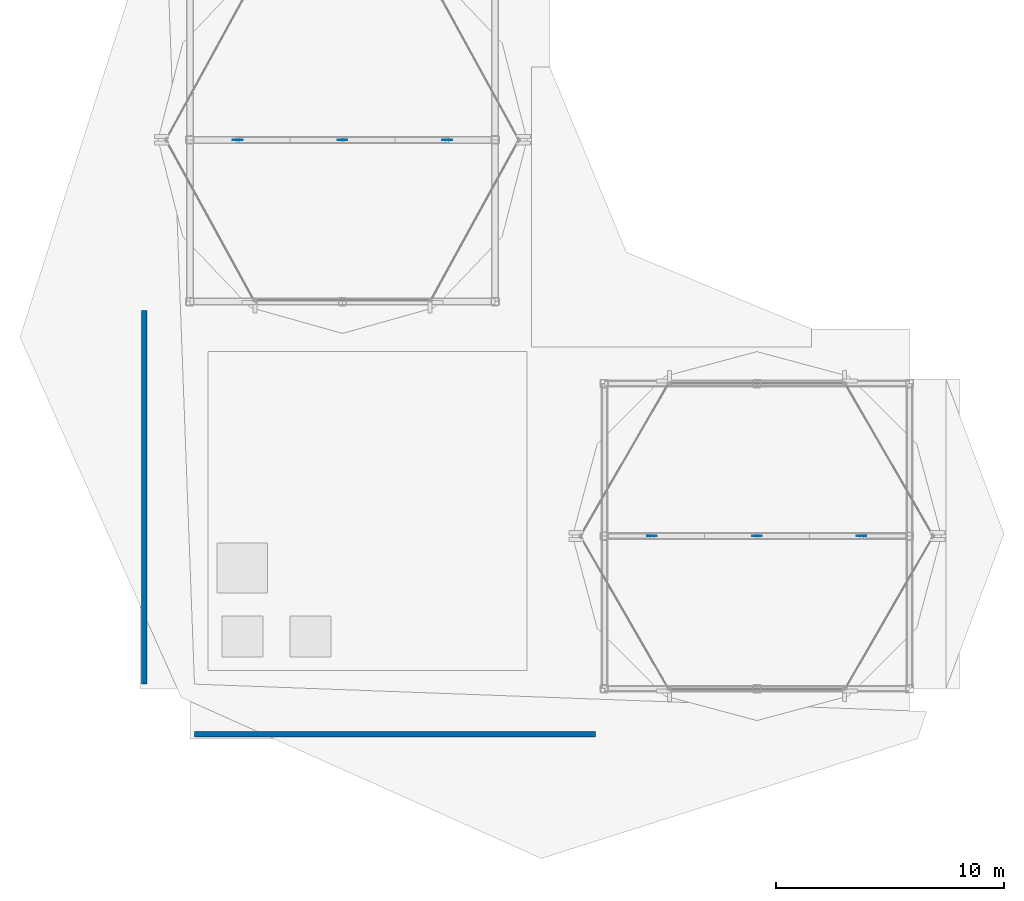
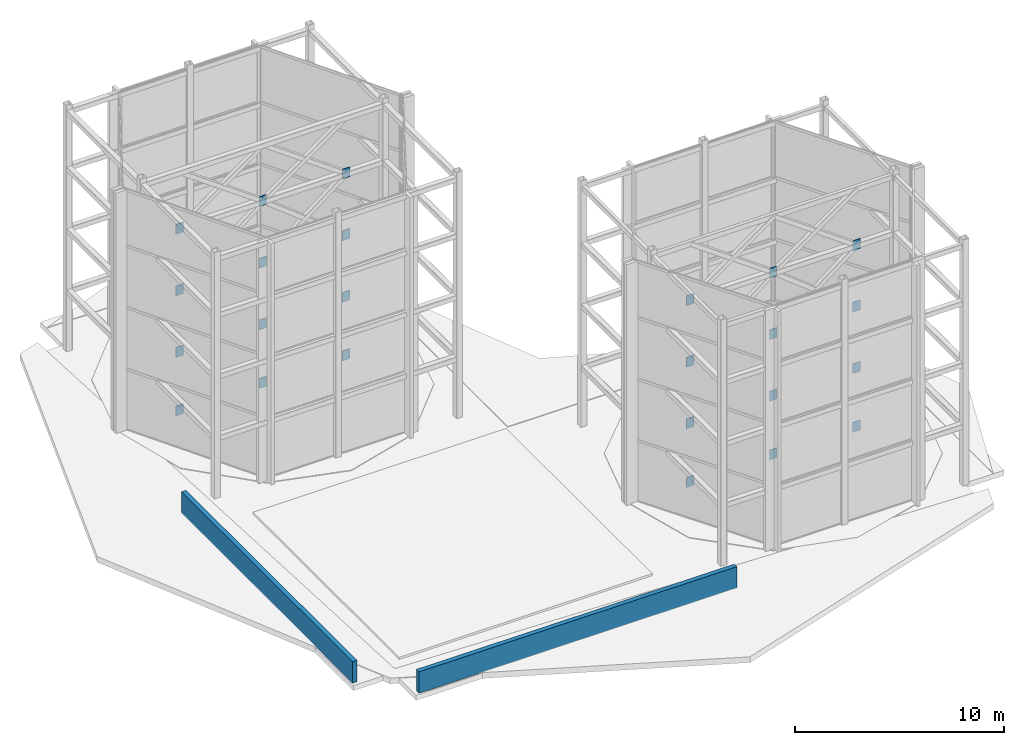
# One storey, part 23 of 24: 24 plates, 2 walls.
"""IFC4 building model written with IfcOpenShell, lengths in metres."""

from ifc_helpers import new_model, si_unit, direction, frame, frame_2d, origin, origin_2d, place, context, subcontext, project, spatial, rectangle, extrude, material, layer, layer_set, type_object, element, save


model = new_model("IFC4")

# Units and contexts
model_context = context("Model", 3, precision=1e-05, world=origin(), true_north=direction((0.0, 1.0)))
body_context = subcontext(model_context, "Body", "Model", "MODEL_VIEW")
ifc_project = project(units=[si_unit("LENGTHUNIT", "METRE"), si_unit("AREAUNIT", "SQUARE_METRE"), si_unit("VOLUMEUNIT", "CUBIC_METRE"), si_unit("PLANEANGLEUNIT", "RADIAN"), si_unit("MASSUNIT", "GRAM", prefix="KILO")], contexts=[model_context])

# Site, building, storey
site_placement = place(None, origin())
site = spatial("IfcSite", under=ifc_project, at=site_placement, CompositionType="ELEMENT")
building_placement = place(site_placement, origin())
building = spatial("IfcBuilding", under=site, at=building_placement, Name="Solvaryn Broadcast Tower", CompositionType="ELEMENT")
storey_placement = place(building_placement, frame((0.0, 0.0, 307.800048828125)))
storey = spatial("IfcBuildingStorey", under=building, at=storey_placement, Name="Roof Main", CompositionType="ELEMENT", Elevation=307.800048828125)

# Plates
ifc_material_1 = material(Name="Steel ASTM A572 Grade 50", Category="steel")
ifc_layer_1 = layer(ifc_material_1, 0.031982421875)
ifc_layer_set_1 = layer_set([ifc_layer_1], Name="PL-ENDCAP-32")
plate_type = type_object("IfcPlateType", Name="PL-ENDCAP-32", PredefinedType="USERDEFINED", material=ifc_layer_set_1)
for number, where, z_axis, x_axis, name in (
    (1, (13.300048828125, 35.300048828125, -0.27001953125), (0.0, 0.0, 1.0), (1.0, 0.0, 0.0), "Roof Main Crown Brace End Plate WT1-1A"),
    (2, (22.5, 35.300048828125, -0.27001953125), (0.0, 0.0, 1.0), (1.0, 0.0, 0.0), "Roof Main Crown Brace End Plate WT1-2A"),
    (3, (17.89990234375, 35.300048828125, -0.27001953125), (0.0, 0.0, 1.0), (1.0, 0.0, 0.0), "Roof Main Crown Brace End Plate WT1-3A"),
    (4, (13.300048828125, 35.300048828125, 3.159912109375), (0.0, 0.0, 1.0), (1.0, 0.0, 0.0), "Roof Main Crown Brace End Plate WT2-1A"),
    (5, (22.5, 35.300048828125, 3.159912109375), (0.0, 0.0, 1.0), (1.0, 0.0, 0.0), "Roof Main Crown Brace End Plate WT2-2A"),
    (6, (17.89990234375, 35.300048828125, 3.159912109375), (0.0, 0.0, 1.0), (1.0, 0.0, 0.0), "Roof Main Crown Brace End Plate WT2-3A"),
    (7, (13.300048828125, 35.300048828125, 6.760009765625), (0.0, 0.0, 1.0), (1.0, 0.0, 0.0), "Roof Main Crown Brace End Plate WT3-1A"),
    (8, (22.5, 35.300048828125, 6.760009765625), (0.0, 0.0, 1.0), (1.0, 0.0, 0.0), "Roof Main Crown Brace End Plate WT3-2A"),
    (9, (17.89990234375, 35.300048828125, 6.760009765625), (0.0, 0.0, 1.0), (1.0, 0.0, 0.0), "Roof Main Crown Brace End Plate WT3-3A"),
    (10, (13.300048828125, 35.300048828125, 10.35986328125), (0.0, 0.0, 1.0), (1.0, 0.0, 0.0), "Roof Main Crown Brace End Plate WT4-1A"),
    (11, (22.5, 35.300048828125, 10.35986328125), (0.0, 0.0, 1.0), (1.0, 0.0, 0.0), "Roof Main Crown Brace End Plate WT4-2A"),
    (12, (17.89990234375, 35.300048828125, 10.35986328125), (0.0, 0.0, 1.0), (1.0, 0.0, 0.0), "Roof Main Crown Brace End Plate WT4-3A"),
    (13, (31.5, 17.89990234375, -0.27001953125), (0.0, 0.0, 1.0), (1.0, 0.0, 0.0), "Roof Main Crown Brace End Plate ET1-1A"),
    (14, (40.699951171875, 17.89990234375, -0.27001953125), (0.0, 0.0, 1.0), (1.0, 0.0, 0.0), "Roof Main Crown Brace End Plate ET1-2A"),
    (15, (36.10009765625, 17.89990234375, -0.27001953125), (0.0, 0.0, 1.0), (1.0, 0.0, 0.0), "Roof Main Crown Brace End Plate ET1-3A"),
    (16, (31.5, 17.89990234375, 3.159912109375), (0.0, 0.0, 1.0), (1.0, 0.0, 0.0), "Roof Main Crown Brace End Plate ET2-1A"),
    (17, (40.699951171875, 17.89990234375, 3.159912109375), (0.0, 0.0, 1.0), (1.0, 0.0, 0.0), "Roof Main Crown Brace End Plate ET2-2A"),
    (18, (36.10009765625, 17.89990234375, 3.159912109375), (0.0, 0.0, 1.0), (1.0, 0.0, 0.0), "Roof Main Crown Brace End Plate ET2-3A"),
    (19, (31.5, 17.89990234375, 6.760009765625), (0.0, 0.0, 1.0), (1.0, 0.0, 0.0), "Roof Main Crown Brace End Plate ET3-1A"),
    (20, (40.699951171875, 17.89990234375, 6.760009765625), (0.0, 0.0, 1.0), (1.0, 0.0, 0.0), "Roof Main Crown Brace End Plate ET3-2A"),
    (21, (36.10009765625, 17.89990234375, 6.760009765625), (0.0, 0.0, 1.0), (1.0, 0.0, 0.0), "Roof Main Crown Brace End Plate ET3-3A"),
    (22, (31.5, 17.89990234375, 10.35986328125), (0.0, 0.0, 1.0), (1.0, 0.0, 0.0), "Roof Main Crown Brace End Plate ET4-1A"),
    (23, (40.699951171875, 17.89990234375, 10.35986328125), (0.0, 0.0, 1.0), (1.0, 0.0, 0.0), "Roof Main Crown Brace End Plate ET4-2A"),
    (24, (36.10009765625, 17.89990234375, 10.35986328125), (0.0, 0.0, 1.0), (1.0, 0.0, 0.0), "Roof Main Crown Brace End Plate ET4-3A"),
):
    element("IfcPlate", number, at=place(storey_placement, frame(where, z_axis=z_axis, x_axis=x_axis)), inside=storey, type_object=plate_type, Name=name, ObjectType="FLANGE_PLATE", PredefinedType="USERDEFINED", context=body_context, shape_type="SweptSolid", body=[
        extrude(rectangle(XDim=0.419921875, YDim=0.031982421875, at=origin_2d()), origin(), (0.0, 0.0, 1.0), 0.580078125),
    ])

# Walls
ifc_material_2 = material(Name="Concrete f'c 50 MPa", Category="concrete")
ifc_layer_2 = layer(ifc_material_2, 0.25)
ifc_layer_set_2 = layer_set([ifc_layer_2], Name="PR-ROOF-250")
wall_type = type_object("IfcWallType", Name="PR-ROOF-250", PredefinedType="PARAPET", material=ifc_layer_set_2)
wall_1_placement = place(storey_placement, frame((11.39990234375, 9.199951171875, 0.0), z_axis=(0.0, 0.0, 1.0), x_axis=(1.0, 0.0, 0.0)))
element("IfcWall", 25, at=wall_1_placement, inside=storey, type_object=wall_type, Name="Main Roof Parapet 1", PredefinedType="PARAPET", context=body_context, shape_type="SweptSolid", body=[
    extrude(rectangle(XDim=17.60009765625, YDim=0.25, at=frame_2d((8.800048828125, 0.0))), origin(), (0.0, 0.0, 1.0), 1.25),
])
wall_2_placement = place(storey_placement, frame((9.199951171875, 11.39990234375, 0.0), z_axis=(0.0, 0.0, 1.0), x_axis=(0.0, 1.0, 0.0)))
element("IfcWall", 26, at=wall_2_placement, inside=storey, type_object=wall_type, Name="Main Roof Parapet 2", PredefinedType="PARAPET", context=body_context, shape_type="SweptSolid", body=[
    extrude(rectangle(XDim=16.400146484375, YDim=0.25, at=frame_2d((8.2001953125, 0.0))), origin(), (0.0, 0.0, 1.0), 1.25),
])

save(model, "model.ifc")
